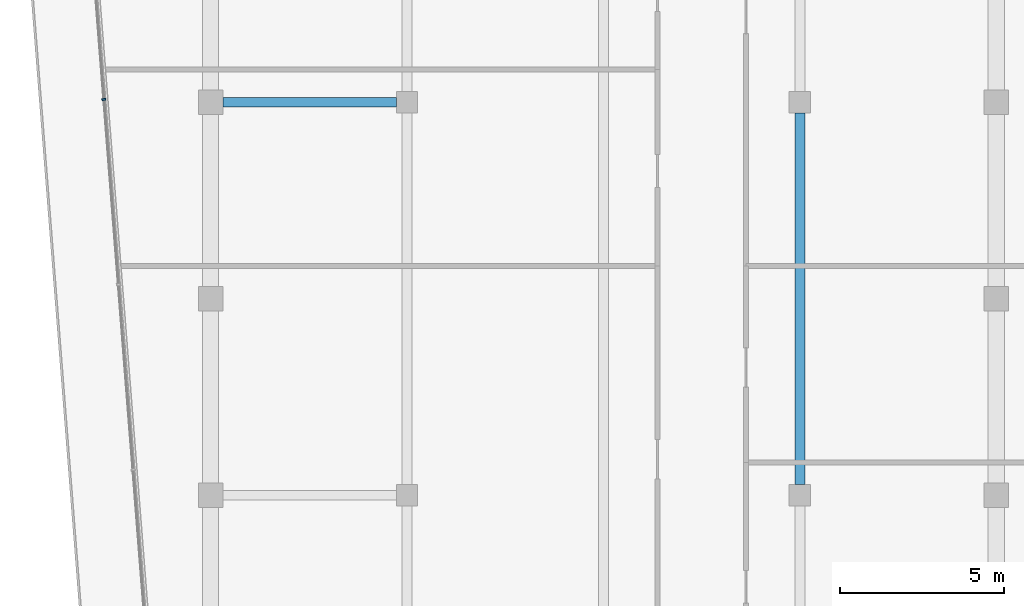
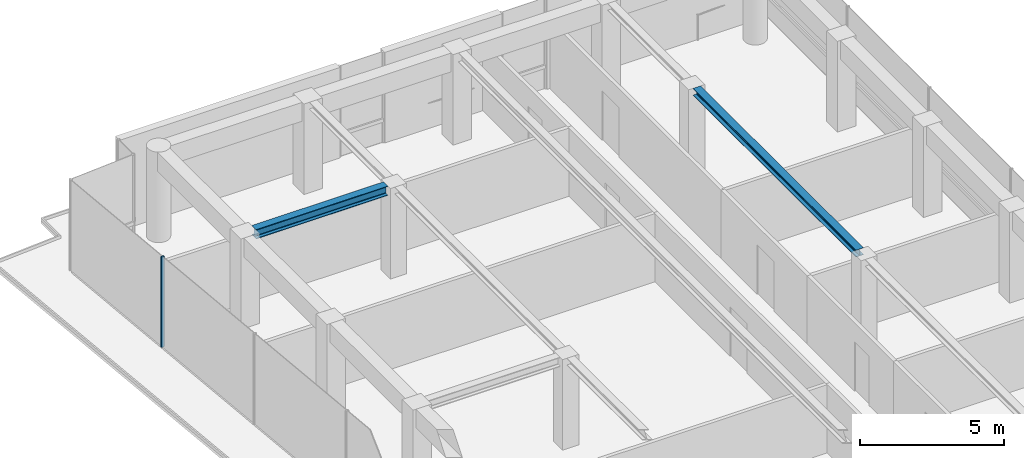
# One storey, part 13 of 23: 2 beams, 1 member, 1 element without a shape of its own.
"""IFC4 building model written with IfcOpenShell, lengths in metres."""

from ifc_helpers import new_model, si_unit, direction, frame, origin, origin_2d, place, context, subcontext, project, spatial, rectangle, i_section, extrude, material, layer, layer_set, material_profile, profile_set, type_object, element, aggregate, save


model = new_model("IFC4")

# Units and contexts
model_context = context("Model", 3, precision=1e-05, world=origin(), true_north=direction((0.0, 1.0)))
body_context = subcontext(model_context, "Body", "Model", "MODEL_VIEW")
ifc_project = project(units=[si_unit("LENGTHUNIT", "METRE"), si_unit("AREAUNIT", "SQUARE_METRE"), si_unit("VOLUMEUNIT", "CUBIC_METRE"), si_unit("PLANEANGLEUNIT", "RADIAN"), si_unit("MASSUNIT", "GRAM", prefix="KILO")], contexts=[model_context])

# Site, building, storey
site_placement = place(None, origin())
site = spatial("IfcSite", under=ifc_project, at=site_placement, CompositionType="ELEMENT")
building_placement = place(site_placement, origin())
building = spatial("IfcBuilding", under=site, at=building_placement, Name="Welwitschia Terrace Campus", CompositionType="ELEMENT")
storey_placement = place(building_placement, frame((0.0, 0.0, 306.199951171875)))
storey = spatial("IfcBuildingStorey", under=building, at=storey_placement, Name="L68", CompositionType="ELEMENT", Elevation=306.199951171875)

# Beam
ifc_material_1 = material(Name="Steel S355", Category="steel")
ifc_material_profile_1 = material_profile(ifc_material_1, i_section(OverallWidth=0.300048828125, OverallDepth=0.300048828125, WebThickness=0.010986328125, FlangeThickness=0.01904296875, FilletRadius=0.027099609375, at=origin_2d()))
ifc_profile_set_1 = profile_set([ifc_material_profile_1], Name="Steel S355")
beam_type_1 = type_object("IfcBeamType", Name="Interior girder HE 300 B", PredefinedType="BEAM", material=ifc_profile_set_1)
beam_1_placement = place(storey_placement, frame((18.0, 44.325439453125, 3.699951171875), z_axis=(0.0, 1.0, 0.0), x_axis=(-1.0, 0.0, 0.0)))
element("IfcBeam", 1, at=beam_1_placement, inside=storey, type_object=beam_type_1, Name="Girder GB6", PredefinedType="BEAM", context=body_context, shape_type="SweptSolid", body=[
    extrude(i_section(OverallWidth=0.300048828125, OverallDepth=0.300048828125, WebThickness=0.010986328125, FlangeThickness=0.01904296875, FilletRadius=0.027099609375, at=origin_2d()), origin(), (0.0, 0.0, 1.0), 11.34912109375),
])

# Curtain wall, member
ifc_material_2 = material(Name="Bronze anodised aluminium", Category="aluminium")
ifc_layer = layer(ifc_material_2, 0.1201171875)
ifc_layer_set = layer_set([ifc_layer], Name="Bronze anodised aluminium")
curtain_wall_type = type_object("IfcCurtainWallType", Name="Curtain wall CW2 tower 6000", PredefinedType="NOTDEFINED", material=ifc_layer_set)
curtain_wall_placement = place(storey_placement, origin())
curtain_wall = element("IfcCurtainWall", 2, at=curtain_wall_placement, inside=storey, type_object=curtain_wall_type, Name="CW L68.11.0", PredefinedType="NOTDEFINED")
ifc_material_3 = material(Name="Bronze anodised aluminium", Category="aluminium")
ifc_material_profile_2 = material_profile(ifc_material_3, rectangle(XDim=0.1201171875, YDim=0.06005859375, at=origin_2d()))
ifc_profile_set_2 = profile_set([ifc_material_profile_2], Name="Bronze anodised aluminium")
member_type = type_object("IfcMemberType", Name="Mullion 60x120", PredefinedType="MULLION", material=ifc_profile_set_2)
member_placement = place(storey_placement, frame((-3.25634765625, 56.088134765625, 0.0), z_axis=(0.0, 0.0, 1.0), x_axis=(0.996917333733, 0.078459095728, 0.0)))
member = element("IfcMember", 3, at=member_placement, type_object=member_type, Name="Mullion L68.11.0.1", PredefinedType="MULLION", context=body_context, shape_type="SweptSolid", body=[
    extrude(rectangle(XDim=0.1201171875, YDim=0.06005859375, at=origin_2d()), origin(), (0.0, 0.0, 1.0), 3.85009765625),
])
aggregate(curtain_wall, [member])

# Beam
ifc_material_4 = material(Name="Steel S355", Category="steel")
ifc_material_profile_3 = material_profile(ifc_material_4, i_section(OverallWidth=0.300048828125, OverallDepth=0.39990234375, WebThickness=0.013427734375, FlangeThickness=0.02392578125, FilletRadius=0.027099609375, at=origin_2d()))
ifc_profile_set_3 = profile_set([ifc_material_profile_3], Name="Steel S355")
beam_type_2 = type_object("IfcBeamType", Name="Primary beam HE 400 B", PredefinedType="BEAM", material=ifc_profile_set_3)
beam_2_placement = place(storey_placement, frame((0.37548828125, 56.0, 3.650146484375), z_axis=(1.0, 0.0, 0.0), x_axis=(0.0, 1.0, 0.0)))
element("IfcBeam", 4, at=beam_2_placement, inside=storey, type_object=beam_type_2, Name="Primary beam PB6", PredefinedType="BEAM", context=body_context, shape_type="SweptSolid", body=[
    extrude(i_section(OverallWidth=0.300048828125, OverallDepth=0.39990234375, WebThickness=0.013427734375, FlangeThickness=0.02392578125, FilletRadius=0.027099609375, at=origin_2d()), origin(), (0.0, 0.0, 1.0), 5.299072265625),
])

save(model, "model.ifc")
